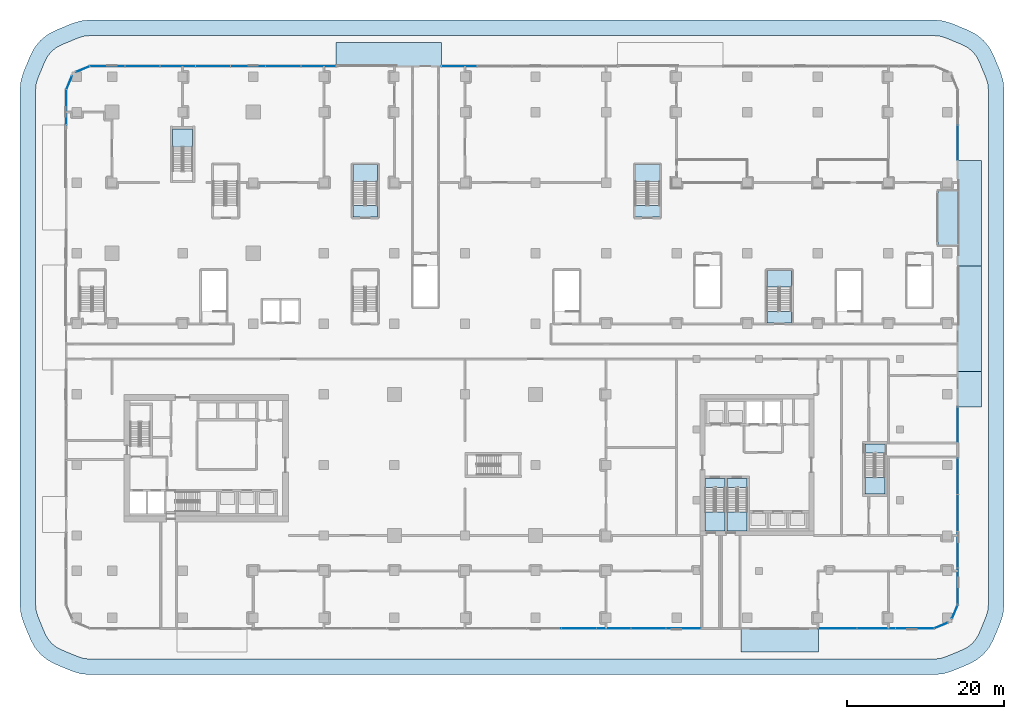
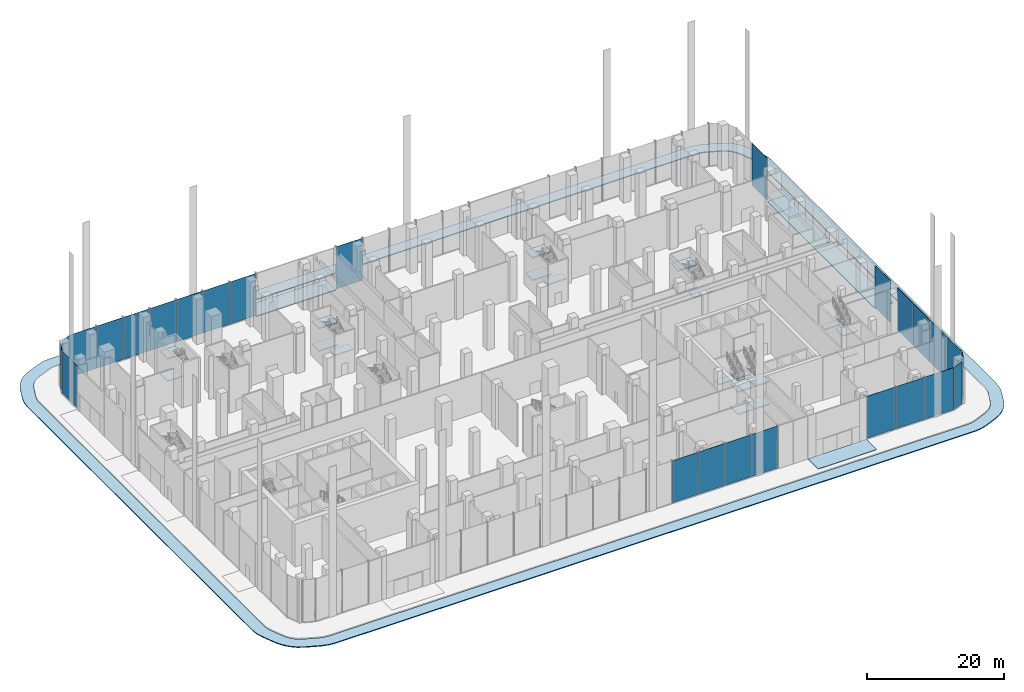
# One storey, part 15 of 42: 27 slabs, 26 plates, 19 elements without a shape of their own.
"""IFC4 building model written with IfcOpenShell, lengths in metres."""

from ifc_helpers import new_model, si_unit, direction, frame, origin, origin_2d, place, context, subcontext, project, spatial, polyline, rectangle, outline, extrude, material, layer, layer_set, type_object, element, aggregate, save


model = new_model("IFC4")

# Units and contexts
model_context = context("Model", 3, precision=1e-05, world=origin(), true_north=direction((0.0, 1.0)))
body_context = subcontext(model_context, "Body", "Model", "MODEL_VIEW")
ifc_project = project(units=[si_unit("LENGTHUNIT", "METRE"), si_unit("AREAUNIT", "SQUARE_METRE"), si_unit("VOLUMEUNIT", "CUBIC_METRE"), si_unit("PLANEANGLEUNIT", "RADIAN"), si_unit("MASSUNIT", "GRAM", prefix="KILO")], contexts=[model_context])

# Site, building, storey
site_placement = place(None, origin())
site = spatial("IfcSite", under=ifc_project, at=site_placement, CompositionType="ELEMENT")
building_placement = place(site_placement, origin())
building = spatial("IfcBuilding", under=site, at=building_placement, Name="Plateau Cross Towers", CompositionType="ELEMENT")
storey_placement = place(building_placement, origin())
storey = spatial("IfcBuildingStorey", under=building, at=storey_placement, Name="L00", CompositionType="ELEMENT", Elevation=0.0)

# Slabs
ifc_material_1 = material(Name="Concrete C30/37", Category="concrete")
ifc_layer_1 = layer(ifc_material_1, 0.14990234375)
ifc_layer_set_1 = layer_set([ifc_layer_1], Name="Concrete C30/37")
slab_type_1 = type_object("IfcSlabType", Name="Entrance apron paving 150", PredefinedType="FLOOR", material=ifc_layer_set_1)
slab_1_placement = place(storey_placement, frame((0.0, 0.0, -0.14990234375)))
element("IfcSlab", 1, at=slab_1_placement, inside=storey, type_object=slab_type_1, Name="Entrance apron station-N1", PredefinedType="FLOOR", context=body_context, shape_type="SweptSolid", body=[
    extrude(outline(polyline([(42.02490234375, 59.85009765625), (28.5625, 59.85009765625), (28.5625, 62.85009765625), (42.02490234375, 62.85009765625), (42.02490234375, 59.85009765625)])), origin(), (0.0, 0.0, 1.0), 0.14990234375),
])
slab_2_placement = place(storey_placement, frame((0.0, 0.0, -0.14990234375)))
element("IfcSlab", 2, at=slab_2_placement, inside=storey, type_object=slab_type_1, Name="Entrance apron lobby-B", PredefinedType="FLOOR", context=body_context, shape_type="SweptSolid", body=[
    extrude(outline(polyline([(80.199951171875, -11.85009765625), (90.06005859375, -11.85009765625), (90.06005859375, -14.85009765625), (80.199951171875, -14.85009765625), (80.199951171875, -11.85009765625)])), origin(), (0.0, 0.0, 1.0), 0.14990234375),
])
slab_3_placement = place(storey_placement, frame((0.0, 0.0, -0.14990234375)))
element("IfcSlab", 3, at=slab_3_placement, inside=storey, type_object=slab_type_1, Name="Entrance apron station-E1", PredefinedType="FLOOR", context=body_context, shape_type="SweptSolid", body=[
    extrude(outline(polyline([(107.85009765625, 34.375), (107.85009765625, 47.860107421875), (110.85009765625, 47.860107421875), (110.85009765625, 34.375), (107.85009765625, 34.375)])), origin(), (0.0, 0.0, 1.0), 0.14990234375),
])
slab_4_placement = place(storey_placement, frame((0.0, 0.0, -0.14990234375)))
element("IfcSlab", 4, at=slab_4_placement, inside=storey, type_object=slab_type_1, Name="Entrance apron station-E2", PredefinedType="FLOOR", context=body_context, shape_type="SweptSolid", body=[
    extrude(outline(polyline([(107.85009765625, 20.889892578125), (107.85009765625, 34.375), (110.85009765625, 34.375), (110.85009765625, 20.889892578125), (107.85009765625, 20.889892578125)])), origin(), (0.0, 0.0, 1.0), 0.14990234375),
])
slab_5_placement = place(storey_placement, frame((0.0, 0.0, -0.14990234375)))
element("IfcSlab", 5, at=slab_5_placement, inside=storey, type_object=slab_type_1, Name="Entrance apron service-E", PredefinedType="FLOOR", context=body_context, shape_type="SweptSolid", body=[
    extrude(outline(polyline([(107.85009765625, 16.39501953125), (107.85009765625, 20.889892578125), (110.85009765625, 20.889892578125), (110.85009765625, 16.39501953125), (107.85009765625, 16.39501953125)])), origin(), (0.0, 0.0, 1.0), 0.14990234375),
])

# Curtain wall, plates
ifc_material_2 = material(Name="Dark low-iron laminated glass", Category="glass")
ifc_layer_2 = layer(ifc_material_2, 0.300048828125)
ifc_layer_set_2 = layer_set([ifc_layer_2], Name="Dark low-iron laminated glass")
curtain_wall_type = type_object("IfcCurtainWallType", Name="Curtain wall structural silicone CW-C", PredefinedType="NOTDEFINED", material=ifc_layer_set_2)
curtain_wall_1_placement = place(storey_placement, origin())
curtain_wall_1 = element("IfcCurtainWall", 6, at=curtain_wall_1_placement, inside=storey, type_object=curtain_wall_type, Name="ENV/P/L00/P172_-118", PredefinedType="NOTDEFINED")
ifc_layer_3 = layer(ifc_material_2, 0.0439453125)
ifc_layer_set_3 = layer_set([ifc_layer_3], Name="Dark low-iron laminated glass")
plate_type = type_object("IfcPlateType", Name="Glass panel 44 structural silicone", PredefinedType="CURTAIN_PANEL", material=ifc_layer_set_3)
plate_1_placement = place(storey_placement, frame((59.513427734375, -11.85009765625, 0.14990234375), z_axis=(0.0, 0.0, 1.0), x_axis=(1.0, 0.0, 0.0)))
plate_1 = element("IfcPlate", 7, at=plate_1_placement, type_object=plate_type, Name="CW-C panel 10", PredefinedType="CURTAIN_PANEL", context=body_context, shape_type="SweptSolid", body=[
    extrude(rectangle(XDim=4.4033203125, YDim=0.0439453125, at=origin_2d()), origin(), (0.0, 0.0, 1.0), 7.5),
])
plate_2_placement = place(storey_placement, frame((63.966552734375, -11.85009765625, 0.14990234375), z_axis=(0.0, 0.0, 1.0), x_axis=(1.0, 0.0, 0.0)))
plate_2 = element("IfcPlate", 8, at=plate_2_placement, type_object=plate_type, Name="CW-C panel 11", PredefinedType="CURTAIN_PANEL", context=body_context, shape_type="SweptSolid", body=[
    extrude(rectangle(XDim=4.4033203125, YDim=0.0439453125, at=origin_2d()), origin(), (0.0, 0.0, 1.0), 7.5),
])
plate_3_placement = place(storey_placement, frame((68.419921875, -11.85009765625, 0.14990234375), z_axis=(0.0, 0.0, 1.0), x_axis=(1.0, 0.0, 0.0)))
plate_3 = element("IfcPlate", 9, at=plate_3_placement, type_object=plate_type, Name="CW-C panel 12", PredefinedType="CURTAIN_PANEL", context=body_context, shape_type="SweptSolid", body=[
    extrude(rectangle(XDim=4.4033203125, YDim=0.0439453125, at=origin_2d()), origin(), (0.0, 0.0, 1.0), 7.5),
])
plate_4_placement = place(storey_placement, frame((72.873291015625, -11.85009765625, 0.14990234375), z_axis=(0.0, 0.0, 1.0), x_axis=(1.0, 0.0, 0.0)))
plate_4 = element("IfcPlate", 10, at=plate_4_placement, type_object=plate_type, Name="CW-C panel 13", PredefinedType="CURTAIN_PANEL", context=body_context, shape_type="SweptSolid", body=[
    extrude(rectangle(XDim=4.4033203125, YDim=0.0439453125, at=origin_2d()), origin(), (0.0, 0.0, 1.0), 7.5),
])
aggregate(curtain_wall_1, [plate_1, plate_2, plate_3, plate_4])

curtain_wall_2_placement = place(storey_placement, origin())
curtain_wall_2 = element("IfcCurtainWall", 11, at=curtain_wall_2_placement, inside=storey, type_object=curtain_wall_type, Name="ENV/P/L00/P901_-118", PredefinedType="NOTDEFINED")
plate_5_placement = place(storey_placement, frame((92.52490234375, -11.85009765625, 0.14990234375), z_axis=(0.0, 0.0, 1.0), x_axis=(1.0, 0.0, 0.0)))
plate_5 = element("IfcPlate", 12, at=plate_5_placement, type_object=plate_type, Name="CW-C panel 1", PredefinedType="CURTAIN_PANEL", context=body_context, shape_type="SweptSolid", body=[
    extrude(rectangle(XDim=4.8798828125, YDim=0.0439453125, at=origin_2d()), origin(), (0.0, 0.0, 1.0), 7.5),
])
plate_6_placement = place(storey_placement, frame((97.455078125, -11.85009765625, 0.14990234375), z_axis=(0.0, 0.0, 1.0), x_axis=(1.0, 0.0, 0.0)))
plate_6 = element("IfcPlate", 13, at=plate_6_placement, type_object=plate_type, Name="CW-C panel 2", PredefinedType="CURTAIN_PANEL", context=body_context, shape_type="SweptSolid", body=[
    extrude(rectangle(XDim=4.8798828125, YDim=0.0439453125, at=origin_2d()), origin(), (0.0, 0.0, 1.0), 7.5),
])
plate_7_placement = place(storey_placement, frame((102.385009765625, -11.85009765625, 0.14990234375), z_axis=(0.0, 0.0, 1.0), x_axis=(1.0, 0.0, 0.0)))
plate_7 = element("IfcPlate", 14, at=plate_7_placement, type_object=plate_type, Name="CW-C panel 3", PredefinedType="CURTAIN_PANEL", context=body_context, shape_type="SweptSolid", body=[
    extrude(rectangle(XDim=4.8798828125, YDim=0.0439453125, at=origin_2d()), origin(), (0.0, 0.0, 1.0), 7.5),
])
aggregate(curtain_wall_2, [plate_5, plate_6, plate_7])

# Curtain wall, plate
curtain_wall_3_placement = place(storey_placement, origin())
curtain_wall_3 = element("IfcCurtainWall", 15, at=curtain_wall_3_placement, inside=storey, type_object=curtain_wall_type, Name="ENV/P/L00/P1048_-118", PredefinedType="NOTDEFINED")
plate_8_placement = place(storey_placement, frame((105.731201171875, -11.485107421875, 0.14990234375), z_axis=(0.0, 0.0, 1.0), x_axis=(0.923879457699, 0.382683612978, 0.0)))
plate_8 = element("IfcPlate", 16, at=plate_8_placement, type_object=plate_type, Name="CW-C panel 1", PredefinedType="CURTAIN_PANEL", context=body_context, shape_type="SweptSolid", body=[
    extrude(rectangle(XDim=1.857666015625, YDim=0.0439453125, at=origin_2d()), origin(), (0.0, 0.0, 1.0), 7.5),
])
aggregate(curtain_wall_3, [plate_8])

curtain_wall_4_placement = place(storey_placement, origin())
curtain_wall_4 = element("IfcCurtainWall", 17, at=curtain_wall_4_placement, inside=storey, type_object=curtain_wall_type, Name="ENV/P/L00/P1071_-106", PredefinedType="NOTDEFINED")
plate_9_placement = place(storey_placement, frame((107.485107421875, -9.731201171875, 0.14990234375), z_axis=(0.0, 0.0, 1.0), x_axis=(0.382683612978, 0.923879457699, 0.0)))
plate_9 = element("IfcPlate", 18, at=plate_9_placement, type_object=plate_type, Name="CW-C panel 1", PredefinedType="CURTAIN_PANEL", context=body_context, shape_type="SweptSolid", body=[
    extrude(rectangle(XDim=1.857666015625, YDim=0.0439453125, at=origin_2d()), origin(), (0.0, 0.0, 1.0), 7.5),
])
aggregate(curtain_wall_4, [plate_9])

# Curtain wall, plates
curtain_wall_5_placement = place(storey_placement, origin())
curtain_wall_5 = element("IfcCurtainWall", 19, at=curtain_wall_5_placement, inside=storey, type_object=curtain_wall_type, Name="ENV/P/L00/P1078_-88", PredefinedType="NOTDEFINED")
plate_10_placement = place(storey_placement, frame((107.85009765625, -6.50634765625, 0.14990234375), z_axis=(0.0, 0.0, 1.0), x_axis=(0.0, 1.0, 0.0)))
plate_10 = element("IfcPlate", 20, at=plate_10_placement, type_object=plate_type, Name="CW-C panel 1", PredefinedType="CURTAIN_PANEL", context=body_context, shape_type="SweptSolid", body=[
    extrude(rectangle(XDim=4.637451171875, YDim=0.0439453125, at=origin_2d()), origin(), (0.0, 0.0, 1.0), 7.5),
])
plate_11_placement = place(storey_placement, frame((107.85009765625, -1.81884765625, 0.14990234375), z_axis=(0.0, 0.0, 1.0), x_axis=(0.0, 1.0, 0.0)))
plate_11 = element("IfcPlate", 21, at=plate_11_placement, type_object=plate_type, Name="CW-C panel 2", PredefinedType="CURTAIN_PANEL", context=body_context, shape_type="SweptSolid", body=[
    extrude(rectangle(XDim=4.637451171875, YDim=0.0439453125, at=origin_2d()), origin(), (0.0, 0.0, 1.0), 7.5),
])
plate_12_placement = place(storey_placement, frame((107.85009765625, 2.86865234375, 0.14990234375), z_axis=(0.0, 0.0, 1.0), x_axis=(0.0, 1.0, 0.0)))
plate_12 = element("IfcPlate", 22, at=plate_12_placement, type_object=plate_type, Name="CW-C panel 3", PredefinedType="CURTAIN_PANEL", context=body_context, shape_type="SweptSolid", body=[
    extrude(rectangle(XDim=4.637451171875, YDim=0.0439453125, at=origin_2d()), origin(), (0.0, 0.0, 1.0), 7.5),
])
plate_13_placement = place(storey_placement, frame((107.85009765625, 7.55615234375, 0.14990234375), z_axis=(0.0, 0.0, 1.0), x_axis=(0.0, 1.0, 0.0)))
plate_13 = element("IfcPlate", 23, at=plate_13_placement, type_object=plate_type, Name="CW-C panel 4", PredefinedType="CURTAIN_PANEL", context=body_context, shape_type="SweptSolid", body=[
    extrude(rectangle(XDim=4.637451171875, YDim=0.0439453125, at=origin_2d()), origin(), (0.0, 0.0, 1.0), 7.5),
])
aggregate(curtain_wall_5, [plate_10, plate_11, plate_12, plate_13])

# Curtain wall, plate
curtain_wall_6_placement = place(storey_placement, origin())
curtain_wall_6 = element("IfcCurtainWall", 24, at=curtain_wall_6_placement, inside=storey, type_object=curtain_wall_type, Name="ENV/P/L00/P1078_119", PredefinedType="NOTDEFINED")
plate_14_placement = place(storey_placement, frame((107.85009765625, 14.1474609375, 0.14990234375), z_axis=(0.0, 0.0, 1.0), x_axis=(0.0, 1.0, 0.0)))
plate_14 = element("IfcPlate", 25, at=plate_14_placement, type_object=plate_type, Name="CW-C panel 1", PredefinedType="CURTAIN_PANEL", context=body_context, shape_type="SweptSolid", body=[
    extrude(rectangle(XDim=4.445068359375, YDim=0.0439453125, at=origin_2d()), origin(), (0.0, 0.0, 1.0), 7.5),
])
aggregate(curtain_wall_6, [plate_14])

curtain_wall_7_placement = place(storey_placement, origin())
curtain_wall_7 = element("IfcCurtainWall", 26, at=curtain_wall_7_placement, inside=storey, type_object=curtain_wall_type, Name="ENV/P/L00/P1078_479", PredefinedType="NOTDEFINED")
plate_15_placement = place(storey_placement, frame((107.85009765625, 50.107421875, 0.14990234375), z_axis=(0.0, 0.0, 1.0), x_axis=(0.0, 1.0, 0.0)))
plate_15 = element("IfcPlate", 27, at=plate_15_placement, type_object=plate_type, Name="CW-C panel 1", PredefinedType="CURTAIN_PANEL", context=body_context, shape_type="SweptSolid", body=[
    extrude(rectangle(XDim=4.445068359375, YDim=0.0439453125, at=origin_2d()), origin(), (0.0, 0.0, 1.0), 7.5),
])
aggregate(curtain_wall_7, [plate_15])

curtain_wall_8_placement = place(storey_placement, origin())
curtain_wall_8 = element("IfcCurtainWall", 28, at=curtain_wall_8_placement, inside=storey, type_object=curtain_wall_type, Name="ENV/P/L00/P645_598", PredefinedType="NOTDEFINED")
plate_16_placement = place(storey_placement, frame((44.268798828125, 59.85009765625, 0.14990234375), z_axis=(0.0, 0.0, 1.0), x_axis=(-1.0, 0.0, 0.0)))
plate_16 = element("IfcPlate", 29, at=plate_16_placement, type_object=plate_type, Name="CW-C panel 5", PredefinedType="CURTAIN_PANEL", context=body_context, shape_type="SweptSolid", body=[
    extrude(rectangle(XDim=4.4375, YDim=0.0439453125, at=origin_2d()), origin(), (0.0, 0.0, 1.0), 7.5),
])
aggregate(curtain_wall_8, [plate_16])

# Curtain wall, plates
curtain_wall_9_placement = place(storey_placement, origin())
curtain_wall_9 = element("IfcCurtainWall", 30, at=curtain_wall_9_placement, inside=storey, type_object=curtain_wall_type, Name="ENV/P/L00/P286_598", PredefinedType="NOTDEFINED")
plate_17_placement = place(storey_placement, frame((26.31884765625, 59.85009765625, 0.14990234375), z_axis=(0.0, 0.0, 1.0), x_axis=(-1.0, 0.0, 0.0)))
plate_17 = element("IfcPlate", 31, at=plate_17_placement, type_object=plate_type, Name="CW-C panel 1", PredefinedType="CURTAIN_PANEL", context=body_context, shape_type="SweptSolid", body=[
    extrude(rectangle(XDim=4.4375, YDim=0.0439453125, at=origin_2d()), origin(), (0.0, 0.0, 1.0), 7.5),
])
plate_18_placement = place(storey_placement, frame((21.831298828125, 59.85009765625, 0.14990234375), z_axis=(0.0, 0.0, 1.0), x_axis=(-1.0, 0.0, 0.0)))
plate_18 = element("IfcPlate", 32, at=plate_18_placement, type_object=plate_type, Name="CW-C panel 2", PredefinedType="CURTAIN_PANEL", context=body_context, shape_type="SweptSolid", body=[
    extrude(rectangle(XDim=4.4375, YDim=0.0439453125, at=origin_2d()), origin(), (0.0, 0.0, 1.0), 7.5),
])
plate_19_placement = place(storey_placement, frame((17.34375, 59.85009765625, 0.14990234375), z_axis=(0.0, 0.0, 1.0), x_axis=(-1.0, 0.0, 0.0)))
plate_19 = element("IfcPlate", 33, at=plate_19_placement, type_object=plate_type, Name="CW-C panel 3", PredefinedType="CURTAIN_PANEL", context=body_context, shape_type="SweptSolid", body=[
    extrude(rectangle(XDim=4.4375, YDim=0.0439453125, at=origin_2d()), origin(), (0.0, 0.0, 1.0), 7.5),
])
plate_20_placement = place(storey_placement, frame((12.856201171875, 59.85009765625, 0.14990234375), z_axis=(0.0, 0.0, 1.0), x_axis=(-1.0, 0.0, 0.0)))
plate_20 = element("IfcPlate", 34, at=plate_20_placement, type_object=plate_type, Name="CW-C panel 4", PredefinedType="CURTAIN_PANEL", context=body_context, shape_type="SweptSolid", body=[
    extrude(rectangle(XDim=4.4375, YDim=0.0439453125, at=origin_2d()), origin(), (0.0, 0.0, 1.0), 7.5),
])
plate_21_placement = place(storey_placement, frame((8.36865234375, 59.85009765625, 0.14990234375), z_axis=(0.0, 0.0, 1.0), x_axis=(-1.0, 0.0, 0.0)))
plate_21 = element("IfcPlate", 35, at=plate_21_placement, type_object=plate_type, Name="CW-C panel 5", PredefinedType="CURTAIN_PANEL", context=body_context, shape_type="SweptSolid", body=[
    extrude(rectangle(XDim=4.4375, YDim=0.0439453125, at=origin_2d()), origin(), (0.0, 0.0, 1.0), 7.5),
])
plate_22_placement = place(storey_placement, frame((3.88134765625, 59.85009765625, 0.14990234375), z_axis=(0.0, 0.0, 1.0), x_axis=(-1.0, 0.0, 0.0)))
plate_22 = element("IfcPlate", 36, at=plate_22_placement, type_object=plate_type, Name="CW-C panel 6", PredefinedType="CURTAIN_PANEL", context=body_context, shape_type="SweptSolid", body=[
    extrude(rectangle(XDim=4.4375, YDim=0.0439453125, at=origin_2d()), origin(), (0.0, 0.0, 1.0), 7.5),
])
plate_23_placement = place(storey_placement, frame((-0.606201171875, 59.85009765625, 0.14990234375), z_axis=(0.0, 0.0, 1.0), x_axis=(-1.0, 0.0, 0.0)))
plate_23 = element("IfcPlate", 37, at=plate_23_placement, type_object=plate_type, Name="CW-C panel 7", PredefinedType="CURTAIN_PANEL", context=body_context, shape_type="SweptSolid", body=[
    extrude(rectangle(XDim=4.4375, YDim=0.0439453125, at=origin_2d()), origin(), (0.0, 0.0, 1.0), 7.5),
])
aggregate(curtain_wall_9, [plate_17, plate_18, plate_19, plate_20, plate_21, plate_22, plate_23])

# Curtain wall, plate
curtain_wall_10_placement = place(storey_placement, origin())
curtain_wall_10 = element("IfcCurtainWall", 38, at=curtain_wall_10_placement, inside=storey, type_object=curtain_wall_type, Name="ENV/P/L00/P-28_598", PredefinedType="NOTDEFINED")
plate_24_placement = place(storey_placement, frame((-3.731201171875, 59.485107421875, 0.14990234375), z_axis=(0.0, 0.0, 1.0), x_axis=(-0.923879457699, -0.382683612978, 0.0)))
plate_24 = element("IfcPlate", 39, at=plate_24_placement, type_object=plate_type, Name="CW-C panel 1", PredefinedType="CURTAIN_PANEL", context=body_context, shape_type="SweptSolid", body=[
    extrude(rectangle(XDim=1.857666015625, YDim=0.0439453125, at=origin_2d()), origin(), (0.0, 0.0, 1.0), 7.5),
])
aggregate(curtain_wall_10, [plate_24])

curtain_wall_11_placement = place(storey_placement, origin())
curtain_wall_11 = element("IfcCurtainWall", 40, at=curtain_wall_11_placement, inside=storey, type_object=curtain_wall_type, Name="ENV/P/L00/P-51_586", PredefinedType="NOTDEFINED")
plate_25_placement = place(storey_placement, frame((-5.485107421875, 57.731201171875, 0.14990234375), z_axis=(0.0, 0.0, 1.0), x_axis=(-0.382683612978, -0.923879457699, 0.0)))
plate_25 = element("IfcPlate", 41, at=plate_25_placement, type_object=plate_type, Name="CW-C panel 1", PredefinedType="CURTAIN_PANEL", context=body_context, shape_type="SweptSolid", body=[
    extrude(rectangle(XDim=1.857666015625, YDim=0.0439453125, at=origin_2d()), origin(), (0.0, 0.0, 1.0), 7.5),
])
aggregate(curtain_wall_11, [plate_25])

curtain_wall_12_placement = place(storey_placement, origin())
curtain_wall_12 = element("IfcCurtainWall", 42, at=curtain_wall_12_placement, inside=storey, type_object=curtain_wall_type, Name="ENV/P/L00/P-58_568", PredefinedType="NOTDEFINED")
plate_26_placement = place(storey_placement, frame((-5.85009765625, 54.617431640625, 0.14990234375), z_axis=(0.0, 0.0, 1.0), x_axis=(0.0, -1.0, 0.0)))
plate_26 = element("IfcPlate", 43, at=plate_26_placement, type_object=plate_type, Name="CW-C panel 1", PredefinedType="CURTAIN_PANEL", context=body_context, shape_type="SweptSolid", body=[
    extrude(rectangle(XDim=4.4150390625, YDim=0.0439453125, at=origin_2d()), origin(), (0.0, 0.0, 1.0), 7.5),
])
aggregate(curtain_wall_12, [plate_26])

# Slab
ifc_layer_4 = layer(ifc_material_1, 0.14990234375)
ifc_layer_set_4 = layer_set([ifc_layer_4], Name="Concrete C30/37")
slab_type_2 = type_object("IfcSlabType", Name="Plaza paving 150", PredefinedType="FLOOR", material=ifc_layer_set_4)
slab_6_placement = place(storey_placement, frame((0.0, 0.0, -0.300048828125)))
element("IfcSlab", 44, at=slab_6_placement, inside=storey, type_object=slab_type_2, Name="Plaza paving step 1", PredefinedType="FLOOR", context=body_context, shape_type="SweptSolid", body=[
    extrude(outline(polyline([(-7.229248046875, -16.422119140625), (-8.249267578125, -15.876953125), (-9.143310546875, -15.143310546875), (-9.876953125, -14.249267578125), (-10.422119140625, -13.229248046875), (-11.30078125, -11.10791015625), (-11.63671875, -10.0009765625), (-11.75, -8.85009765625), (-11.75, 56.85009765625), (-11.63671875, 58.0009765625), (-11.30078125, 59.10791015625), (-10.422119140625, 61.229248046875), (-9.876953125, 62.249267578125), (-9.143310546875, 63.143310546875), (-8.249267578125, 63.876953125), (-7.229248046875, 64.422119140625), (-5.10791015625, 65.30078125), (-4.0009765625, 65.63671875), (-2.85009765625, 65.75), (104.85009765625, 65.75), (106.0009765625, 65.63671875), (107.10791015625, 65.30078125), (109.229248046875, 64.422119140625), (110.249267578125, 63.876953125), (111.143310546875, 63.143310546875), (111.876953125, 62.249267578125), (112.422119140625, 61.229248046875), (113.30078125, 59.10791015625), (113.63671875, 58.0009765625), (113.75, 56.85009765625), (113.75, -8.85009765625), (113.63671875, -10.0009765625), (113.30078125, -11.10791015625), (112.422119140625, -13.229248046875), (111.876953125, -14.249267578125), (111.143310546875, -15.143310546875), (110.249267578125, -15.876953125), (109.229248046875, -16.422119140625), (107.10791015625, -17.30078125), (106.0009765625, -17.63671875), (104.85009765625, -17.75), (-2.85009765625, -17.75), (-4.0009765625, -17.63671875), (-5.10791015625, -17.30078125), (-7.229248046875, -16.422119140625)]), holes=[polyline([(-3.61083984375, -15.675048828125), (-2.85009765625, -15.75), (104.85009765625, -15.75), (105.61083984375, -15.675048828125), (106.342529296875, -15.453125), (108.4638671875, -14.574462890625), (109.137939453125, -14.214111328125), (109.72900390625, -13.72900390625), (110.214111328125, -13.137939453125), (110.574462890625, -12.4638671875), (111.453125, -10.342529296875), (111.675048828125, -9.61083984375), (111.75, -8.85009765625), (111.75, 56.85009765625), (111.675048828125, 57.61083984375), (111.453125, 58.342529296875), (110.574462890625, 60.4638671875), (110.214111328125, 61.137939453125), (109.72900390625, 61.72900390625), (109.137939453125, 62.214111328125), (108.4638671875, 62.574462890625), (106.342529296875, 63.453125), (105.61083984375, 63.675048828125), (104.85009765625, 63.75), (-2.85009765625, 63.75), (-3.61083984375, 63.675048828125), (-4.342529296875, 63.453125), (-6.4638671875, 62.574462890625), (-7.137939453125, 62.214111328125), (-7.72900390625, 61.72900390625), (-8.214111328125, 61.137939453125), (-8.574462890625, 60.4638671875), (-9.453125, 58.342529296875), (-9.675048828125, 57.61083984375), (-9.75, 56.85009765625), (-9.75, -8.85009765625), (-9.675048828125, -9.61083984375), (-9.453125, -10.342529296875), (-8.574462890625, -12.4638671875), (-8.214111328125, -13.137939453125), (-7.72900390625, -13.72900390625), (-7.137939453125, -14.214111328125), (-6.4638671875, -14.574462890625), (-4.342529296875, -15.453125), (-3.61083984375, -15.675048828125)])]), origin(), (0.0, 0.0, 1.0), 0.150146484375),
])

# Stair, slabs
ifc_material_3 = material(Name="Concrete C40/50", Category="concrete")
stair_type_1 = type_object("IfcStairType", Name="ST-TWR", PredefinedType="HALF_TURN_STAIR", material=ifc_material_3)
stair_1_placement = place(storey_placement, origin())
stair_1 = element("IfcStair", 45, at=stair_1_placement, inside=storey, type_object=stair_type_1, Name="L00 Protected Exit Stair SB-1", PredefinedType="HALF_TURN_STAIR")
ifc_layer_5 = layer(ifc_material_3, 0.199951171875)
ifc_layer_set_5 = layer_set([ifc_layer_5], Name="Concrete C40/50")
slab_type_3 = type_object("IfcSlabType", Name="SL-LANDING", PredefinedType="LANDING", material=ifc_layer_set_5)
slab_7_placement = place(storey_placement, frame((0.0, 0.0, 1.800048828125)))
slab_7 = element("IfcSlab", 46, at=slab_7_placement, type_object=slab_type_3, Name="SB-1 landing 1", PredefinedType="LANDING", context=body_context, shape_type="SweptSolid", body=[
    extrude(outline(polyline([(75.60009765625, 3.02001953125), (75.60009765625, 0.60009765625), (78.14990234375, 0.60009765625), (78.14990234375, 3.02001953125), (75.60009765625, 3.02001953125)])), origin(), (0.0, 0.0, 1.0), 0.199951171875),
])
slab_8_placement = place(storey_placement, frame((0.0, 0.0, 3.800048828125)))
slab_8 = element("IfcSlab", 47, at=slab_8_placement, type_object=slab_type_3, Name="SB-1 landing 2", PredefinedType="LANDING", context=body_context, shape_type="SweptSolid", body=[
    extrude(outline(polyline([(75.60009765625, 7.300048828125), (75.60009765625, 6.10009765625), (78.14990234375, 6.10009765625), (78.14990234375, 7.300048828125), (75.60009765625, 7.300048828125)])), origin(), (0.0, 0.0, 1.0), 0.199951171875),
])
slab_9_placement = place(storey_placement, frame((0.0, 0.0, 5.800048828125)))
slab_9 = element("IfcSlab", 48, at=slab_9_placement, type_object=slab_type_3, Name="SB-1 landing 3", PredefinedType="LANDING", context=body_context, shape_type="SweptSolid", body=[
    extrude(outline(polyline([(75.60009765625, 3.02001953125), (75.60009765625, 0.60009765625), (78.14990234375, 0.60009765625), (78.14990234375, 3.02001953125), (75.60009765625, 3.02001953125)])), origin(), (0.0, 0.0, 1.0), 0.199951171875),
])
aggregate(stair_1, [slab_7, slab_8, slab_9])

stair_2_placement = place(storey_placement, origin())
stair_2 = element("IfcStair", 49, at=stair_2_placement, inside=storey, type_object=stair_type_1, Name="L00 Protected Exit Stair SB-2", PredefinedType="HALF_TURN_STAIR")
slab_10_placement = place(storey_placement, frame((0.0, 0.0, 1.800048828125)))
slab_10 = element("IfcSlab", 50, at=slab_10_placement, type_object=slab_type_3, Name="SB-2 landing 1", PredefinedType="LANDING", context=body_context, shape_type="SweptSolid", body=[
    extrude(outline(polyline([(78.449951171875, 3.02001953125), (78.449951171875, 0.60009765625), (81.0, 0.60009765625), (81.0, 3.02001953125), (78.449951171875, 3.02001953125)])), origin(), (0.0, 0.0, 1.0), 0.199951171875),
])
slab_11_placement = place(storey_placement, frame((0.0, 0.0, 3.800048828125)))
slab_11 = element("IfcSlab", 51, at=slab_11_placement, type_object=slab_type_3, Name="SB-2 landing 2", PredefinedType="LANDING", context=body_context, shape_type="SweptSolid", body=[
    extrude(outline(polyline([(78.449951171875, 7.300048828125), (78.449951171875, 6.10009765625), (81.0, 6.10009765625), (81.0, 7.300048828125), (78.449951171875, 7.300048828125)])), origin(), (0.0, 0.0, 1.0), 0.199951171875),
])
slab_12_placement = place(storey_placement, frame((0.0, 0.0, 5.800048828125)))
slab_12 = element("IfcSlab", 52, at=slab_12_placement, type_object=slab_type_3, Name="SB-2 landing 3", PredefinedType="LANDING", context=body_context, shape_type="SweptSolid", body=[
    extrude(outline(polyline([(78.449951171875, 3.02001953125), (78.449951171875, 0.60009765625), (81.0, 0.60009765625), (81.0, 3.02001953125), (78.449951171875, 3.02001953125)])), origin(), (0.0, 0.0, 1.0), 0.199951171875),
])
aggregate(stair_2, [slab_10, slab_11, slab_12])

stair_3_placement = place(storey_placement, origin())
stair_3 = element("IfcStair", 53, at=stair_3_placement, inside=storey, type_object=stair_type_1, Name="L00 Protected Exit Stair SB-3", PredefinedType="HALF_TURN_STAIR")
slab_13_placement = place(storey_placement, frame((0.0, 0.0, 1.800048828125)))
slab_13 = element("IfcSlab", 54, at=slab_13_placement, type_object=slab_type_3, Name="SB-3 landing 1", PredefinedType="LANDING", context=body_context, shape_type="SweptSolid", body=[
    extrude(outline(polyline([(96.0, 7.419921875), (96.0, 5.300048828125), (98.550048828125, 5.300048828125), (98.550048828125, 7.419921875), (96.0, 7.419921875)])), origin(), (0.0, 0.0, 1.0), 0.199951171875),
])
slab_14_placement = place(storey_placement, frame((0.0, 0.0, 3.800048828125)))
slab_14 = element("IfcSlab", 55, at=slab_14_placement, type_object=slab_type_3, Name="SB-3 landing 2", PredefinedType="LANDING", context=body_context, shape_type="SweptSolid", body=[
    extrude(outline(polyline([(96.0, 11.699951171875), (96.0, 10.5), (98.550048828125, 10.5), (98.550048828125, 11.699951171875), (96.0, 11.699951171875)])), origin(), (0.0, 0.0, 1.0), 0.199951171875),
])
slab_15_placement = place(storey_placement, frame((0.0, 0.0, 5.800048828125)))
slab_15 = element("IfcSlab", 56, at=slab_15_placement, type_object=slab_type_3, Name="SB-3 landing 3", PredefinedType="LANDING", context=body_context, shape_type="SweptSolid", body=[
    extrude(outline(polyline([(96.0, 7.419921875), (96.0, 5.300048828125), (98.550048828125, 5.300048828125), (98.550048828125, 7.419921875), (96.0, 7.419921875)])), origin(), (0.0, 0.0, 1.0), 0.199951171875),
])
aggregate(stair_3, [slab_13, slab_14, slab_15])

stair_4_placement = place(storey_placement, origin())
stair_4 = element("IfcStair", 57, at=stair_4_placement, inside=storey, type_object=stair_type_1, Name="L00 Protected Exit Stair N", PredefinedType="HALF_TURN_STAIR")
slab_16_placement = place(storey_placement, frame((0.0, 0.0, 1.800048828125)))
slab_16 = element("IfcSlab", 58, at=slab_16_placement, type_object=slab_type_3, Name="ES-N landing 1", PredefinedType="LANDING", context=body_context, shape_type="SweptSolid", body=[
    extrude(outline(polyline([(10.27490234375, 49.580078125), (10.27490234375, 51.85009765625), (7.72509765625, 51.85009765625), (7.72509765625, 49.580078125), (10.27490234375, 49.580078125)])), origin(), (0.0, 0.0, 1.0), 0.199951171875),
])
slab_17_placement = place(storey_placement, frame((0.0, 0.0, 5.800048828125)))
slab_17 = element("IfcSlab", 59, at=slab_17_placement, type_object=slab_type_3, Name="ES-N landing 3", PredefinedType="LANDING", context=body_context, shape_type="SweptSolid", body=[
    extrude(outline(polyline([(10.27490234375, 49.580078125), (10.27490234375, 51.85009765625), (7.72509765625, 51.85009765625), (7.72509765625, 49.580078125), (10.27490234375, 49.580078125)])), origin(), (0.0, 0.0, 1.0), 0.199951171875),
])
aggregate(stair_4, [slab_16, slab_17])

stair_type_2 = type_object("IfcStairType", Name="Podium exit stair 1500", PredefinedType="HALF_TURN_STAIR", material=ifc_material_3)
stair_5_placement = place(storey_placement, origin())
stair_5 = element("IfcStair", 60, at=stair_5_placement, inside=storey, type_object=stair_type_2, Name="L00 Exit Stair 2", PredefinedType="HALF_TURN_STAIR")
slab_18_placement = place(storey_placement, frame((0.0, 0.0, 1.800048828125)))
slab_18 = element("IfcSlab", 61, at=slab_18_placement, type_object=slab_type_3, Name="PS2 landing 1", PredefinedType="LANDING", context=body_context, shape_type="SweptSolid", body=[
    extrude(outline(polyline([(33.85009765625, 45.179931640625), (33.85009765625, 47.300048828125), (30.699951171875, 47.300048828125), (30.699951171875, 45.179931640625), (33.85009765625, 45.179931640625)])), origin(), (0.0, 0.0, 1.0), 0.199951171875),
])
slab_19_placement = place(storey_placement, frame((0.0, 0.0, 3.800048828125)))
slab_19 = element("IfcSlab", 62, at=slab_19_placement, type_object=slab_type_3, Name="PS2 landing 2", PredefinedType="LANDING", context=body_context, shape_type="SweptSolid", body=[
    extrude(outline(polyline([(33.85009765625, 40.60009765625), (33.85009765625, 42.10009765625), (30.699951171875, 42.10009765625), (30.699951171875, 40.60009765625), (33.85009765625, 40.60009765625)])), origin(), (0.0, 0.0, 1.0), 0.199951171875),
])
slab_20_placement = place(storey_placement, frame((0.0, 0.0, 5.800048828125)))
slab_20 = element("IfcSlab", 63, at=slab_20_placement, type_object=slab_type_3, Name="PS2 landing 3", PredefinedType="LANDING", context=body_context, shape_type="SweptSolid", body=[
    extrude(outline(polyline([(33.85009765625, 45.179931640625), (33.85009765625, 47.300048828125), (30.699951171875, 47.300048828125), (30.699951171875, 45.179931640625), (33.85009765625, 45.179931640625)])), origin(), (0.0, 0.0, 1.0), 0.199951171875),
])
aggregate(stair_5, [slab_18, slab_19, slab_20])

stair_6_placement = place(storey_placement, origin())
stair_6 = element("IfcStair", 64, at=stair_6_placement, inside=storey, type_object=stair_type_2, Name="L00 Exit Stair 3", PredefinedType="HALF_TURN_STAIR")
slab_21_placement = place(storey_placement, frame((0.0, 0.0, 1.800048828125)))
slab_21 = element("IfcSlab", 65, at=slab_21_placement, type_object=slab_type_3, Name="PS3 landing 1", PredefinedType="LANDING", context=body_context, shape_type="SweptSolid", body=[
    extrude(outline(polyline([(69.85009765625, 45.179931640625), (69.85009765625, 47.300048828125), (66.699951171875, 47.300048828125), (66.699951171875, 45.179931640625), (69.85009765625, 45.179931640625)])), origin(), (0.0, 0.0, 1.0), 0.199951171875),
])
slab_22_placement = place(storey_placement, frame((0.0, 0.0, 3.800048828125)))
slab_22 = element("IfcSlab", 66, at=slab_22_placement, type_object=slab_type_3, Name="PS3 landing 2", PredefinedType="LANDING", context=body_context, shape_type="SweptSolid", body=[
    extrude(outline(polyline([(69.85009765625, 40.60009765625), (69.85009765625, 42.10009765625), (66.699951171875, 42.10009765625), (66.699951171875, 40.60009765625), (69.85009765625, 40.60009765625)])), origin(), (0.0, 0.0, 1.0), 0.199951171875),
])
slab_23_placement = place(storey_placement, frame((0.0, 0.0, 5.800048828125)))
slab_23 = element("IfcSlab", 67, at=slab_23_placement, type_object=slab_type_3, Name="PS3 landing 3", PredefinedType="LANDING", context=body_context, shape_type="SweptSolid", body=[
    extrude(outline(polyline([(69.85009765625, 45.179931640625), (69.85009765625, 47.300048828125), (66.699951171875, 47.300048828125), (66.699951171875, 45.179931640625), (69.85009765625, 45.179931640625)])), origin(), (0.0, 0.0, 1.0), 0.199951171875),
])
aggregate(stair_6, [slab_21, slab_22, slab_23])

stair_7_placement = place(storey_placement, origin())
stair_7 = element("IfcStair", 68, at=stair_7_placement, inside=storey, type_object=stair_type_2, Name="L00 Exit Stair 5", PredefinedType="HALF_TURN_STAIR")
slab_24_placement = place(storey_placement, frame((0.0, 0.0, 1.800048828125)))
slab_24 = element("IfcSlab", 69, at=slab_24_placement, type_object=slab_type_3, Name="PS5 landing 1", PredefinedType="LANDING", context=body_context, shape_type="SweptSolid", body=[
    extrude(outline(polyline([(86.64990234375, 31.679931640625), (86.64990234375, 33.800048828125), (83.5, 33.800048828125), (83.5, 31.679931640625), (86.64990234375, 31.679931640625)])), origin(), (0.0, 0.0, 1.0), 0.199951171875),
])
slab_25_placement = place(storey_placement, frame((0.0, 0.0, 3.800048828125)))
slab_25 = element("IfcSlab", 70, at=slab_25_placement, type_object=slab_type_3, Name="PS5 landing 2", PredefinedType="LANDING", context=body_context, shape_type="SweptSolid", body=[
    extrude(outline(polyline([(86.64990234375, 27.10009765625), (86.64990234375, 28.60009765625), (83.5, 28.60009765625), (83.5, 27.10009765625), (86.64990234375, 27.10009765625)])), origin(), (0.0, 0.0, 1.0), 0.199951171875),
])
slab_26_placement = place(storey_placement, frame((0.0, 0.0, 5.800048828125)))
slab_26 = element("IfcSlab", 71, at=slab_26_placement, type_object=slab_type_3, Name="PS5 landing 3", PredefinedType="LANDING", context=body_context, shape_type="SweptSolid", body=[
    extrude(outline(polyline([(86.64990234375, 31.679931640625), (86.64990234375, 33.800048828125), (83.5, 33.800048828125), (83.5, 31.679931640625), (86.64990234375, 31.679931640625)])), origin(), (0.0, 0.0, 1.0), 0.199951171875),
])
aggregate(stair_7, [slab_24, slab_25, slab_26])

# Slab
ifc_layer_6 = layer(ifc_material_1, 0.39990234375)
ifc_layer_set_6 = layer_set([ifc_layer_6], Name="Concrete C30/37")
slab_type_4 = type_object("IfcSlabType", Name="Station entrance canopy 400", PredefinedType="ROOF", material=ifc_layer_set_6)
slab_27_placement = place(storey_placement, frame((0.0, 0.0, 4.199951171875)))
element("IfcSlab", 72, at=slab_27_placement, inside=storey, type_object=slab_type_4, Name="Station entrance canopy", PredefinedType="ROOF", context=body_context, shape_type="SweptSolid", body=[
    extrude(outline(polyline([(107.929931640625, 37.080078125), (107.929931640625, 43.919921875), (105.330078125, 43.919921875), (105.330078125, 37.080078125), (107.929931640625, 37.080078125)])), origin(), (0.0, 0.0, 1.0), 0.400146484375),
])

save(model, "model.ifc")
